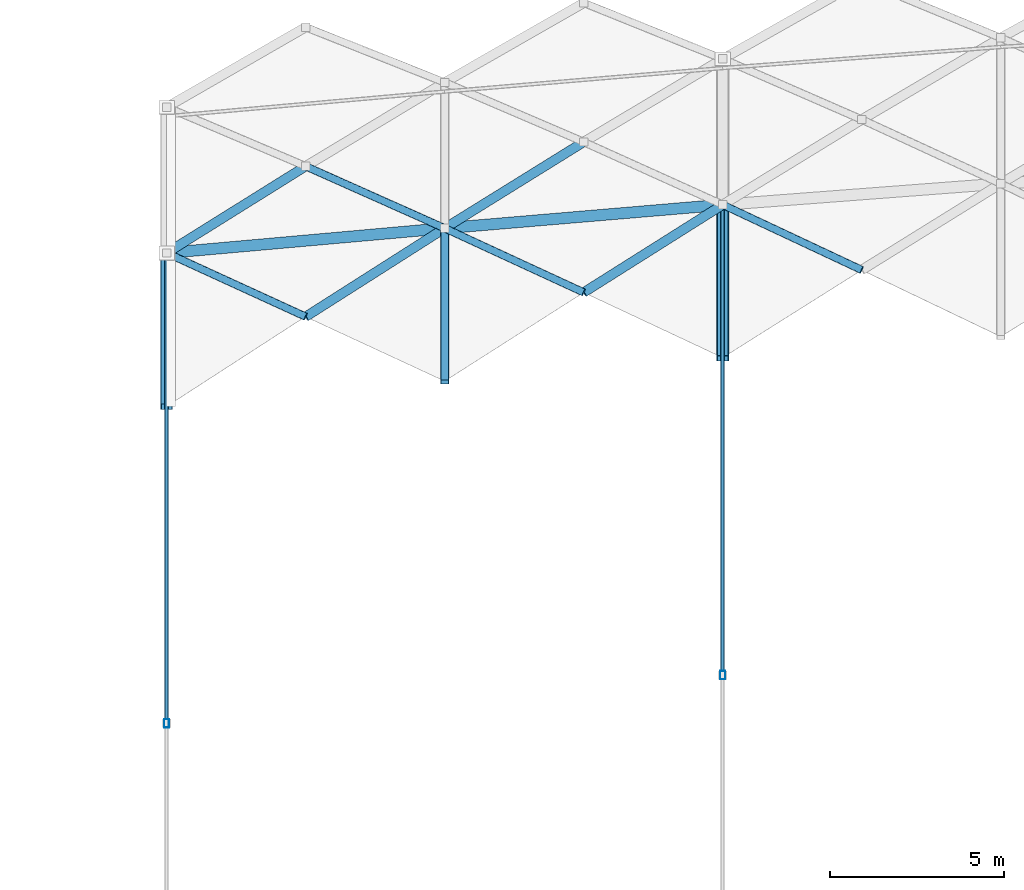
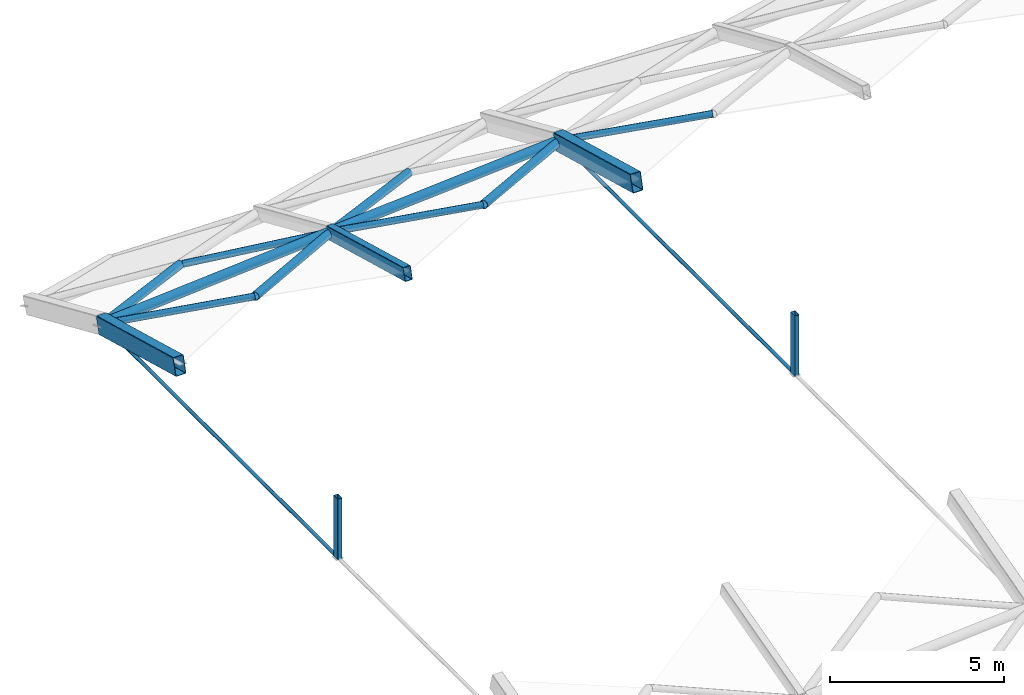
# One storey, part 5 of 54: 14 members, 3 beams.
"""IFC4 building model written with IfcOpenShell, lengths in metres."""

from ifc_helpers import new_model, si_unit, direction, frame, origin, origin_2d, place, context, subcontext, project, spatial, hollow_rectangle, hollow_circle, extrude, material, material_profile, profile_set, type_object, element, save


model = new_model("IFC4")

# Units and contexts
model_context = context("Model", 3, precision=1e-05, world=origin(), true_north=direction((0.0, 1.0)))
body_context = subcontext(model_context, "Body", "Model", "MODEL_VIEW")
ifc_project = project(units=[si_unit("LENGTHUNIT", "METRE"), si_unit("AREAUNIT", "SQUARE_METRE"), si_unit("VOLUMEUNIT", "CUBIC_METRE"), si_unit("PLANEANGLEUNIT", "RADIAN"), si_unit("MASSUNIT", "GRAM", prefix="KILO")], contexts=[model_context])

# Site, building, storey
site_placement = place(None, origin())
site = spatial("IfcSite", under=ifc_project, at=site_placement, CompositionType="ELEMENT")
building_placement = place(site_placement, origin())
building = spatial("IfcBuilding", under=site, at=building_placement, Name="Kenh Van Central Station", CompositionType="ELEMENT")
storey_placement = place(building_placement, frame((0.0, 0.0, 15.0)))
storey = spatial("IfcBuildingStorey", under=building, at=storey_placement, Name="L03", CompositionType="ELEMENT", Elevation=15.0)

# Beams
ifc_material = material(Name="White fluoropolymer structural steel S355", Category="steel")
ifc_material_profile_1 = material_profile(ifc_material, hollow_rectangle(XDim=0.35009765625, YDim=0.60009765625, WallThickness=0.01611328125, InnerFilletRadius=0.01611328125, OuterFilletRadius=0.031982421875, at=origin_2d()), Name="RHS 600x350x16")
ifc_profile_set_1 = profile_set([ifc_material_profile_1], Name="White fluoropolymer structural steel S355")
beam_type_1 = type_object("IfcBeamType", Name="BM-VAULT-ARCH600", PredefinedType="BEAM", material=ifc_profile_set_1)
for number, where, z_axis, x_axis, name in (
    (1, (32.0, 97.113037109375, 5.28173828125), (0.0, 0.964381836979, -0.264514030829), (-1.0, 0.0, 0.0), "Vault transverse arch 009"),
    (2, (48.0, 98.50146484375, 5.28173828125), (0.0, 0.964381836979, -0.264514030829), (-1.0, 0.0, 0.0), "Vault transverse arch 033"),
):
    element("IfcBeam", number, at=place(storey_placement, frame(where, z_axis=z_axis, x_axis=x_axis)), inside=storey, type_object=beam_type_1, Name=name, PredefinedType="BEAM", context=body_context, shape_type="SweptSolid", body=[
        extrude(hollow_rectangle(XDim=0.35009765625, YDim=0.60009765625, WallThickness=0.01611328125, InnerFilletRadius=0.01611328125, OuterFilletRadius=0.031982421875, at=origin_2d()), origin(), (0.0, 0.0, 1.0), 4.58447265625),
    ])
ifc_material_profile_2 = material_profile(ifc_material, hollow_rectangle(XDim=0.25, YDim=0.449951171875, WallThickness=0.012451171875, InnerFilletRadius=0.012451171875, OuterFilletRadius=0.02490234375, at=origin_2d()), Name="RHS 450x250x12.5")
ifc_profile_set_2 = profile_set([ifc_material_profile_2], Name="White fluoropolymer structural steel S355")
beam_type_2 = type_object("IfcBeamType", Name="BM-VAULT-SUB450", PredefinedType="BEAM", material=ifc_profile_set_2)
beam_placement = place(storey_placement, frame((40.0, 97.8251953125, 5.28173828125), z_axis=(0.0, 0.964381836979, -0.264514030829), x_axis=(-1.0, 0.0, 0.0)))
element("IfcBeam", 3, at=beam_placement, inside=storey, type_object=beam_type_2, Name="Vault transverse arch 021", PredefinedType="BEAM", context=body_context, shape_type="SweptSolid", body=[
    extrude(hollow_rectangle(XDim=0.25, YDim=0.449951171875, WallThickness=0.012451171875, InnerFilletRadius=0.012451171875, OuterFilletRadius=0.02490234375, at=origin_2d()), origin(), (0.0, 0.0, 1.0), 4.58447265625),
])

# Members
ifc_material_profile_3 = material_profile(ifc_material, hollow_rectangle(XDim=0.14990234375, YDim=0.25, WallThickness=0.008056640625, InnerFilletRadius=0.008056640625, OuterFilletRadius=0.01611328125, at=origin_2d()), Name="RHS 250x150x8")
ifc_profile_set_3 = profile_set([ifc_material_profile_3], Name="White fluoropolymer structural steel S355")
member_type_1 = type_object("IfcMemberType", Name="MEM-STR-RHS250", PredefinedType="STRUT", material=ifc_profile_set_3)
for number, where, z_axis, x_axis, name in (
    (4, (32.0, 88.0, 4.069091796875), (0.0, 0.0, 1.0), (1.0, 0.0, 0.0), "Vault internal crown king strut 001"),
    (5, (48.0, 89.388427734375, 4.069091796875), (0.0, 0.0, 1.0), (1.0, 0.0, 0.0), "Vault internal crown king strut 002"),
):
    element("IfcMember", number, at=place(storey_placement, frame(where, z_axis=z_axis, x_axis=x_axis)), inside=storey, type_object=member_type_1, Name=name, PredefinedType="STRUT", context=body_context, shape_type="SweptSolid", body=[
        extrude(hollow_rectangle(XDim=0.14990234375, YDim=0.25, WallThickness=0.008056640625, InnerFilletRadius=0.008056640625, OuterFilletRadius=0.01611328125, at=origin_2d()), origin(), (0.0, 0.0, 1.0), 2.130859375),
    ])
ifc_material_profile_4 = material_profile(ifc_material, hollow_circle(Radius=0.109619140625, WallThickness=0.008056640625, at=origin_2d()), Name="CHS 219.1x8")
ifc_profile_set_4 = profile_set([ifc_material_profile_4], Name="White fluoropolymer structural steel S355")
member_type_2 = type_object("IfcMemberType", Name="MEM-VAULT-BRC219", PredefinedType="BRACE", material=ifc_profile_set_4)
member_1_placement = place(storey_placement, frame((32.0, 101.5341796875, 4.069091796875), z_axis=(0.898534153484, -0.411755030784, 0.15196765987), x_axis=(0.416593570775, 0.909092842777, 0.0)))
element("IfcMember", 6, at=member_1_placement, inside=storey, type_object=member_type_2, Name="Vault diamond grid member 0019", PredefinedType="BRACE", context=body_context, shape_type="SweptSolid", body=[
    extrude(hollow_circle(Radius=0.109619140625, WallThickness=0.008056640625, at=origin_2d()), origin(), (0.0, 0.0, 1.0), 4.45166015625),
])
member_2_placement = place(storey_placement, frame((36.0, 104.029541015625, 3.237060546875), z_axis=(0.89730115203, -0.400017554591, 0.186645649787), x_axis=(0.407172677565, 0.913351197867, 0.0)))
element("IfcMember", 7, at=member_2_placement, inside=storey, type_object=member_type_2, Name="Vault diamond grid member 0044", PredefinedType="BRACE", context=body_context, shape_type="SweptSolid", body=[
    extrude(hollow_circle(Radius=0.109619140625, WallThickness=0.008056640625, at=origin_2d()), origin(), (0.0, 0.0, 1.0), 4.457763671875),
])
member_3_placement = place(storey_placement, frame((40.0, 102.246337890625, 4.069091796875), z_axis=(0.897416190214, -0.414255288488, 0.15177858051), x_axis=(0.419110889496, 0.907935054013, 0.0)))
element("IfcMember", 8, at=member_3_placement, inside=storey, type_object=member_type_2, Name="Vault diamond grid member 0067", PredefinedType="BRACE", context=body_context, shape_type="SweptSolid", body=[
    extrude(hollow_circle(Radius=0.109619140625, WallThickness=0.008056640625, at=origin_2d()), origin(), (0.0, 0.0, 1.0), 4.457275390625),
])
member_4_placement = place(storey_placement, frame((48.0, 102.922607421875, 4.069091796875), z_axis=(0.894840247897, -0.419947916631, 0.151342915462), x_axis=(0.424841529845, 0.905267736374, 0.0)))
element("IfcMember", 9, at=member_4_placement, inside=storey, type_object=member_type_2, Name="Vault diamond grid member 0115", PredefinedType="BRACE", context=body_context, shape_type="SweptSolid", body=[
    extrude(hollow_circle(Radius=0.109619140625, WallThickness=0.008056640625, at=origin_2d()), origin(), (0.0, 0.0, 1.0), 4.469970703125),
])
ifc_material_profile_5 = material_profile(ifc_material, hollow_circle(Radius=0.05712890625, WallThickness=0.010009765625, at=origin_2d()), Name="CHS 114.3x10")
ifc_profile_set_5 = profile_set([ifc_material_profile_5], Name="White fluoropolymer structural steel S355")
member_type_3 = type_object("IfcMemberType", Name="MEM-VAULT-CBL114", PredefinedType="BRACE", material=ifc_profile_set_5)
for number, where, z_axis, x_axis, name in (
    (10, (32.0, 88.0, 4.069091796875), (0.0, 1.0, 0.0), (-1.0, 0.0, 0.0), "Vault internal bowstring tension tie 02"),
    (11, (48.0, 89.388427734375, 4.069091796875), (0.0, 1.0, 0.0), (-1.0, 0.0, 0.0), "Vault internal bowstring tension tie 04"),
):
    element("IfcMember", number, at=place(storey_placement, frame(where, z_axis=z_axis, x_axis=x_axis)), inside=storey, type_object=member_type_3, Name=name, PredefinedType="BRACE", context=body_context, shape_type="SweptSolid", body=[
        extrude(hollow_circle(Radius=0.05712890625, WallThickness=0.010009765625, at=origin_2d()), origin(), (0.0, 0.0, 1.0), 13.5341796875),
    ])
ifc_material_profile_6 = material_profile(ifc_material, hollow_circle(Radius=0.136474609375, WallThickness=0.010009765625, at=origin_2d()), Name="CHS 273x10")
ifc_profile_set_6 = profile_set([ifc_material_profile_6], Name="White fluoropolymer structural steel S355")
member_type_4 = type_object("IfcMemberType", Name="MEM-VAULT-CHD273", PredefinedType="CHORD", material=ifc_profile_set_6)
member_5_placement = place(storey_placement, frame((32.0, 101.5341796875, 4.069091796875), z_axis=(0.835528314996, 0.521236261449, -0.173796417084), x_axis=(-0.5292912255, 0.848440215106, 0.0)))
element("IfcMember", 12, at=member_5_placement, inside=storey, type_object=member_type_4, Name="Vault diamond grid member 0018", PredefinedType="CHORD", context=body_context, shape_type="SweptSolid", body=[
    extrude(hollow_circle(Radius=0.136474609375, WallThickness=0.010009765625, at=origin_2d()), origin(), (0.0, 0.0, 1.0), 4.787353515625),
])
member_6_placement = place(storey_placement, frame((36.0, 99.701171875, 4.74560546875), z_axis=(0.835228872819, 0.531449035592, -0.141260937902), x_axis=(-0.536832175361, 0.843689051426, 0.0)))
element("IfcMember", 13, at=member_6_placement, inside=storey, type_object=member_type_4, Name="Vault diamond grid member 0041", PredefinedType="CHORD", context=body_context, shape_type="SweptSolid", body=[
    extrude(hollow_circle(Radius=0.136474609375, WallThickness=0.010009765625, at=origin_2d()), origin(), (0.0, 0.0, 1.0), 4.7890625),
])
member_7_placement = place(storey_placement, frame((40.0, 102.246337890625, 4.069091796875), z_axis=(0.836749216848, 0.51918899771, -0.174050374208), x_axis=(-0.527236337623, 0.849718685384, 0.0)))
element("IfcMember", 14, at=member_7_placement, inside=storey, type_object=member_type_4, Name="Vault diamond grid member 0066", PredefinedType="CHORD", context=body_context, shape_type="SweptSolid", body=[
    extrude(hollow_circle(Radius=0.136474609375, WallThickness=0.010009765625, at=origin_2d()), origin(), (0.0, 0.0, 1.0), 4.780517578125),
])
member_8_placement = place(storey_placement, frame((44.0, 100.39990234375, 4.74560546875), z_axis=(0.837309240986, 0.528071068549, -0.141612787279), x_axis=(-0.533447080218, 0.845833442592, 0.0)))
element("IfcMember", 15, at=member_8_placement, inside=storey, type_object=member_type_4, Name="Vault diamond grid member 0089", PredefinedType="CHORD", context=body_context, shape_type="SweptSolid", body=[
    extrude(hollow_circle(Radius=0.136474609375, WallThickness=0.010009765625, at=origin_2d()), origin(), (0.0, 0.0, 1.0), 4.777099609375),
])
ifc_material_profile_7 = material_profile(ifc_material, hollow_circle(Radius=0.161865234375, WallThickness=0.010009765625, at=origin_2d()), Name="CHS 323.9x10")
ifc_profile_set_7 = profile_set([ifc_material_profile_7], Name="White fluoropolymer structural steel S355")
member_type_5 = type_object("IfcMemberType", Name="MEM-VAULT-CHD324", PredefinedType="CHORD", material=ifc_profile_set_7)
member_9_placement = place(storey_placement, frame((32.0, 101.5341796875, 4.069091796875), z_axis=(0.99606113461, 0.088669138478, 0.0), x_axis=(-0.088669138478, 0.99606113461, 0.0)))
element("IfcMember", 16, at=member_9_placement, inside=storey, type_object=member_type_5, Name="Vault longitudinal spine chord 29", PredefinedType="CHORD", context=body_context, shape_type="SweptSolid", body=[
    extrude(hollow_circle(Radius=0.161865234375, WallThickness=0.010009765625, at=origin_2d()), origin(), (0.0, 0.0, 1.0), 8.03173828125),
])
member_10_placement = place(storey_placement, frame((40.0, 102.246337890625, 4.069091796875), z_axis=(0.996446063383, 0.084233264025, 0.0), x_axis=(-0.084233264025, 0.996446063383, 0.0)))
element("IfcMember", 17, at=member_10_placement, inside=storey, type_object=member_type_5, Name="Vault longitudinal spine chord 30", PredefinedType="CHORD", context=body_context, shape_type="SweptSolid", body=[
    extrude(hollow_circle(Radius=0.161865234375, WallThickness=0.010009765625, at=origin_2d()), origin(), (0.0, 0.0, 1.0), 8.028564453125),
])

save(model, "model.ifc")
